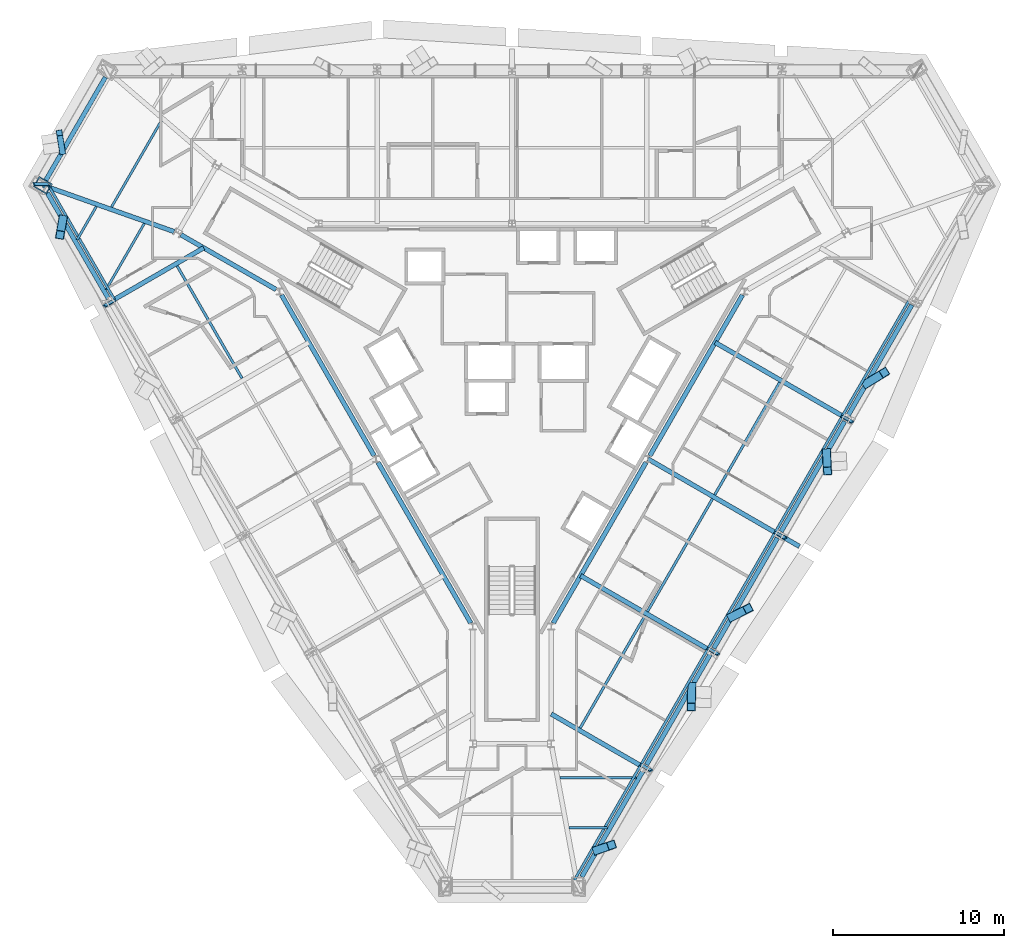
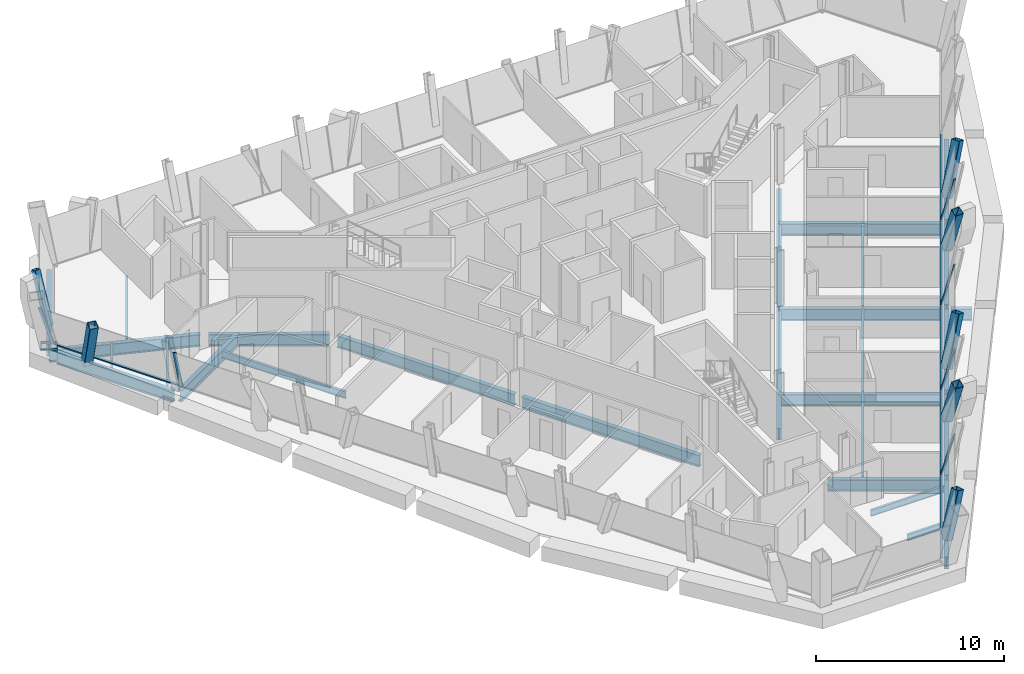
# One storey, part 3 of 13: 28 beams, 20 members, 2 elements without a shape of their own.
"""IFC4 building model written with IfcOpenShell, lengths in metres."""

from ifc_helpers import new_model, si_unit, direction, frame, origin, origin_2d, place, context, subcontext, project, spatial, rectangle, hollow_rectangle, i_section, extrude, material, material_profile, profile_set, type_object, element, aggregate, save


model = new_model("IFC4")

# Units and contexts
model_context = context("Model", 3, precision=1e-05, world=origin(), true_north=direction((0.0, 1.0)))
body_context = subcontext(model_context, "Body", "Model", "MODEL_VIEW")
ifc_project = project(units=[si_unit("LENGTHUNIT", "METRE"), si_unit("AREAUNIT", "SQUARE_METRE"), si_unit("VOLUMEUNIT", "CUBIC_METRE"), si_unit("PLANEANGLEUNIT", "RADIAN"), si_unit("MASSUNIT", "GRAM", prefix="KILO")], contexts=[model_context])

# Site, building, storey
site_placement = place(None, origin())
site = spatial("IfcSite", under=ifc_project, at=site_placement, CompositionType="ELEMENT")
building_placement = place(site_placement, origin())
building = spatial("IfcBuilding", under=site, at=building_placement, Name="Verrane Prism Tower", CompositionType="ELEMENT")
storey_placement = place(building_placement, frame((0.0, 0.0, 100.0)))
storey = spatial("IfcBuildingStorey", under=building, at=storey_placement, Name="L23", CompositionType="ELEMENT", Elevation=100.0)

# Member
ifc_material_1 = material(Name="Steel A500 Grade C", Category="steel")
ifc_material_profile_1 = material_profile(ifc_material_1, hollow_rectangle(XDim=0.355712890625, YDim=0.355712890625, WallThickness=0.0126953125, InnerFilletRadius=0.00634765625, OuterFilletRadius=0.01904296875, at=origin_2d()), Name="HSS14x14x1/2")
ifc_profile_set_1 = profile_set([ifc_material_profile_1], Name="Steel A500 Grade C")
member_type_1 = type_object("IfcMemberType", Name="Chamfer brace HSS14x14x1/2", PredefinedType="BRACE", material=ifc_profile_set_1)
member_1_placement = place(storey_placement, frame((-26.35986328125, 13.42138671875, -0.2451171875), z_axis=(-0.054955055745, 0.34337382265, 0.937589654255), x_axis=(-0.987433792109, -0.158033243976, 0.0)))
element("IfcMember", 1, at=member_1_placement, inside=storey, type_object=member_type_1, Name="Chamfer brace NW0 L23", PredefinedType="BRACE", context=body_context, shape_type="SweptSolid", body=[
    extrude(hollow_rectangle(XDim=0.355712890625, YDim=0.355712890625, WallThickness=0.0126953125, InnerFilletRadius=0.00634765625, OuterFilletRadius=0.01904296875, at=origin_2d()), origin(), (0.0, 0.0, 1.0), 3.203125),
])

# Beams
ifc_material_2 = material(Name="Steel A992", Category="steel")
ifc_material_profile_2 = material_profile(ifc_material_2, i_section(OverallWidth=0.2666015625, OverallDepth=0.76708984375, WebThickness=0.014892578125, FlangeThickness=0.023681640625, FilletRadius=0.0166015625, at=origin_2d()), Name="W30x124")
ifc_profile_set_2 = profile_set([ifc_material_profile_2], Name="Steel A992")
beam_type_1 = type_object("IfcBeamType", Name="Chamfer spandrel beam W30x124", PredefinedType="SPANDREL", material=ifc_profile_set_2)
beam_1_placement = place(storey_placement, frame((-23.835205078125, 17.787109375, -0.54345703125), z_axis=(-0.500609590055, -0.865673170628, 0.0), x_axis=(0.865673170628, -0.500609590055, 0.0)))
element("IfcBeam", 2, at=beam_1_placement, inside=storey, type_object=beam_type_1, Name="Chamfer spandrel beam L23", PredefinedType="SPANDREL", context=body_context, shape_type="SweptSolid", body=[
    extrude(i_section(OverallWidth=0.2666015625, OverallDepth=0.76708984375, WebThickness=0.014892578125, FlangeThickness=0.023681640625, FilletRadius=0.0166015625, at=origin_2d()), origin(), (0.0, 0.0, 1.0), 6.970458984375),
])
ifc_material_3 = material(Name="Steel A992", Category="steel")
ifc_material_profile_3 = material_profile(ifc_material_3, i_section(OverallWidth=0.2666015625, OverallDepth=0.7568359375, WebThickness=0.013916015625, FlangeThickness=0.019287109375, FilletRadius=0.0166015625, at=origin_2d()), Name="W30x108")
ifc_profile_set_3 = profile_set([ifc_material_profile_3], Name="Steel A992")
beam_type_2 = type_object("IfcBeamType", Name="Core ring girder W30x108", PredefinedType="BEAM", material=ifc_profile_set_3)
beam_2_placement = place(storey_placement, frame((-19.411865234375, 8.551513671875, -0.62841796875), z_axis=(0.866455532004, -0.499254254924, 0.0), x_axis=(0.499254254924, 0.866455532004, 0.0)))
element("IfcBeam", 3, at=beam_2_placement, inside=storey, type_object=beam_type_2, Name="Core ring girder L23", PredefinedType="BEAM", context=body_context, shape_type="SweptSolid", body=[
    extrude(i_section(OverallWidth=0.2666015625, OverallDepth=0.7568359375, WebThickness=0.013916015625, FlangeThickness=0.019287109375, FilletRadius=0.0166015625, at=origin_2d()), origin(), (0.0, 0.0, 1.0), 6.441162109375),
])
beam_3_placement = place(storey_placement, frame((-13.51513671875, 5.0205078125, -0.62841796875), z_axis=(0.4993706109, -0.866388476937, 0.0), x_axis=(0.866388476937, 0.4993706109, 0.0)))
element("IfcBeam", 4, at=beam_3_placement, inside=storey, type_object=beam_type_2, Name="Core ring girder L23", PredefinedType="BEAM", context=body_context, shape_type="SweptSolid", body=[
    extrude(i_section(OverallWidth=0.2666015625, OverallDepth=0.7568359375, WebThickness=0.013916015625, FlangeThickness=0.019287109375, FilletRadius=0.0166015625, at=origin_2d()), origin(), (0.0, 0.0, 1.0), 10.8740234375),
])
for number, where, z_axis, x_axis, name in (
    (5, (-7.85498046875, -4.79931640625, -0.62841796875), (0.500034555306, -0.86600545235, 0.0), (0.86600545235, 0.500034555306, 0.0), "Core ring girder L23"),
    (6, (2.4150390625, -14.220703125, -0.62841796875), (0.500034555306, 0.86600545235, 0.0), (-0.86600545235, 0.500034555306, 0.0), "Core ring girder L23"),
):
    element("IfcBeam", number, at=place(storey_placement, frame(where, z_axis=z_axis, x_axis=x_axis)), inside=storey, type_object=beam_type_2, Name=name, PredefinedType="BEAM", context=body_context, shape_type="SweptSolid", body=[
        extrude(i_section(OverallWidth=0.2666015625, OverallDepth=0.7568359375, WebThickness=0.013916015625, FlangeThickness=0.019287109375, FilletRadius=0.0166015625, at=origin_2d()), origin(), (0.0, 0.0, 1.0), 10.879150390625),
    ])
beam_4_placement = place(storey_placement, frame((8.0849609375, -4.400634765625, -0.62841796875), z_axis=(0.4993706109, 0.866388476937, 0.0), x_axis=(-0.866388476937, 0.4993706109, 0.0)))
element("IfcBeam", 7, at=beam_4_placement, inside=storey, type_object=beam_type_2, Name="Core ring girder L23", PredefinedType="BEAM", context=body_context, shape_type="SweptSolid", body=[
    extrude(i_section(OverallWidth=0.2666015625, OverallDepth=0.7568359375, WebThickness=0.013916015625, FlangeThickness=0.019287109375, FilletRadius=0.0166015625, at=origin_2d()), origin(), (0.0, 0.0, 1.0), 10.8740234375),
])
ifc_material_4 = material(Name="Steel A992", Category="steel")
ifc_material_profile_4 = material_profile(ifc_material_4, i_section(OverallWidth=0.2666015625, OverallDepth=0.76708984375, WebThickness=0.014892578125, FlangeThickness=0.023681640625, FilletRadius=0.0166015625, at=origin_2d()), Name="W30x124")
ifc_profile_set_4 = profile_set([ifc_material_profile_4], Name="Steel A992")
beam_type_3 = type_object("IfcBeamType", Name="Corner girder W30x124", PredefinedType="BEAM", material=ifc_profile_set_4)
beam_5_placement = place(storey_placement, frame((-27.4970703125, 11.448974609375, -0.603515625), z_axis=(0.942926196669, -0.333001783233, 0.0), x_axis=(0.333001783233, 0.942926196669, 0.0)))
element("IfcBeam", 8, at=beam_5_placement, inside=storey, type_object=beam_type_3, Name="Corner girder L23", PredefinedType="BEAM", context=body_context, shape_type="SweptSolid", body=[
    extrude(i_section(OverallWidth=0.2666015625, OverallDepth=0.76708984375, WebThickness=0.014892578125, FlangeThickness=0.023681640625, FilletRadius=0.0166015625, at=origin_2d()), origin(), (0.0, 0.0, 1.0), 8.154052734375),
])

# Members
ifc_material_5 = material(Name="Steel A1085 Grade A", Category="steel")
ifc_material_profile_5 = material_profile(ifc_material_5, hollow_rectangle(XDim=0.508056640625, YDim=0.508056640625, WallThickness=0.025390625, InnerFilletRadius=0.0126953125, OuterFilletRadius=0.0380859375, at=origin_2d()), Name="HSS20x20x1")
ifc_profile_set_5 = profile_set([ifc_material_profile_5], Name="Steel A1085 Grade A")
member_type_2 = type_object("IfcMemberType", Name="Facade brace HSS20x20x1", PredefinedType="BRACE", material=ifc_profile_set_5)
member_2_placement = place(storey_placement, frame((-26.3369140625, 9.43896484375, -0.24267578125), z_axis=(-0.049625250197, -0.286024720616, 0.956936358249), x_axis=(0.985280396607, -0.170946015051, 0.0)))
element("IfcMember", 9, at=member_2_placement, inside=storey, type_object=member_type_2, Name="Facade brace SW0 L23", PredefinedType="BRACE", context=body_context, shape_type="SweptSolid", body=[
    extrude(hollow_rectangle(XDim=0.508056640625, YDim=0.508056640625, WallThickness=0.025390625, InnerFilletRadius=0.0126953125, OuterFilletRadius=0.0380859375, at=origin_2d()), origin(), (0.0, 0.0, 1.0), 3.143798828125),
])
member_3_placement = place(storey_placement, frame((4.994384765625, -27.526611328125, -0.24267578125), z_axis=(0.2876253544, 0.100039979912, 0.952503888667), x_axis=(-0.328510015815, 0.94450048677, 0.0)))
element("IfcMember", 10, at=member_3_placement, inside=storey, type_object=member_type_2, Name="Facade brace SE0 L23", PredefinedType="BRACE", context=body_context, shape_type="SweptSolid", body=[
    extrude(hollow_rectangle(XDim=0.508056640625, YDim=0.508056640625, WallThickness=0.025390625, InnerFilletRadius=0.0126953125, OuterFilletRadius=0.0380859375, at=origin_2d()), origin(), (0.0, 0.0, 1.0), 2.930908203125),
])
member_4_placement = place(storey_placement, frame((10.54150390625, -17.9228515625, -0.24267578125), z_axis=(-0.010380610033, -0.375206397415, 0.926883165385), x_axis=(0.999617504739, -0.027655817092, 0.0)))
element("IfcMember", 11, at=member_4_placement, inside=storey, type_object=member_type_2, Name="Facade brace SE1 L23", PredefinedType="BRACE", context=body_context, shape_type="SweptSolid", body=[
    extrude(hollow_rectangle(XDim=0.508056640625, YDim=0.508056640625, WallThickness=0.025390625, InnerFilletRadius=0.0126953125, OuterFilletRadius=0.0380859375, at=origin_2d()), origin(), (0.0, 0.0, 1.0), 3.24560546875),
])
member_5_placement = place(storey_placement, frame((12.892333984375, -13.849853515625, -0.24267578125), z_axis=(0.296683457736, 0.151211377995, 0.942928441119), x_axis=(-0.454094457087, 0.890953547635, 0.0)))
element("IfcMember", 12, at=member_5_placement, inside=storey, type_object=member_type_2, Name="Facade brace SE2 L23", PredefinedType="BRACE", context=body_context, shape_type="SweptSolid", body=[
    extrude(hollow_rectangle(XDim=0.508056640625, YDim=0.508056640625, WallThickness=0.025390625, InnerFilletRadius=0.0126953125, OuterFilletRadius=0.0380859375, at=origin_2d()), origin(), (0.0, 0.0, 1.0), 3.1904296875),
])
member_6_placement = place(storey_placement, frame((18.4404296875, -4.2373046875, -0.24267578125), z_axis=(0.017674060204, -0.332976233805, 0.942769566393), x_axis=(0.998594277188, 0.053004429694, 0.0)))
element("IfcMember", 13, at=member_6_placement, inside=storey, type_object=member_type_2, Name="Facade brace SE3 L23", PredefinedType="BRACE", context=body_context, shape_type="SweptSolid", body=[
    extrude(hollow_rectangle(XDim=0.508056640625, YDim=0.508056640625, WallThickness=0.025390625, InnerFilletRadius=0.0126953125, OuterFilletRadius=0.0380859375, at=origin_2d()), origin(), (0.0, 0.0, 1.0), 3.19091796875),
])
member_7_placement = place(storey_placement, frame((20.788330078125, -0.167236328125, -0.24267578125), z_axis=(0.321078922138, 0.196031088996, 0.926542032455), x_axis=(-0.521094217834, 0.853499160011, 0.0)))
element("IfcMember", 14, at=member_7_placement, inside=storey, type_object=member_type_2, Name="Facade brace SE4 L23", PredefinedType="BRACE", context=body_context, shape_type="SweptSolid", body=[
    extrude(hollow_rectangle(XDim=0.508056640625, YDim=0.508056640625, WallThickness=0.025390625, InnerFilletRadius=0.0126953125, OuterFilletRadius=0.0380859375, at=origin_2d()), origin(), (0.0, 0.0, 1.0), 3.246826171875),
])

# Beams
ifc_material_6 = material(Name="Steel A992", Category="steel")
ifc_material_profile_6 = material_profile(ifc_material_6, i_section(OverallWidth=0.140380859375, OverallDepth=0.40380859375, WebThickness=0.007080078125, FlangeThickness=0.01123046875, FilletRadius=0.01025390625, at=origin_2d()), Name="W16x31")
ifc_profile_set_6 = profile_set([ifc_material_profile_6], Name="Steel A992")
beam_type_4 = type_object("IfcBeamType", Name="Floor beam W16x31", PredefinedType="BEAM", material=ifc_profile_set_6)
beam_6_placement = place(storey_placement, frame((-23.80126953125, 5.321044921875, -0.36181640625), z_axis=(0.500004878216, 0.866022587327, 0.0), x_axis=(-0.866022587327, 0.500004878216, 0.0)))
element("IfcBeam", 15, at=beam_6_placement, inside=storey, type_object=beam_type_4, Name="Floor beam L23", PredefinedType="BEAM", context=body_context, shape_type="SweptSolid", body=[
    extrude(i_section(OverallWidth=0.140380859375, OverallDepth=0.40380859375, WebThickness=0.007080078125, FlangeThickness=0.01123046875, FilletRadius=0.01025390625, at=origin_2d()), origin(), (0.0, 0.0, 1.0), 4.48974609375),
])
beam_7_placement = place(storey_placement, frame((-25.49658203125, 8.25244140625, -0.36181640625), z_axis=(0.499997670926, 0.866026748472, 0.0), x_axis=(-0.866026748472, 0.499997670926, 0.0)))
element("IfcBeam", 16, at=beam_7_placement, inside=storey, type_object=beam_type_4, Name="Floor beam L23", PredefinedType="BEAM", context=body_context, shape_type="SweptSolid", body=[
    extrude(i_section(OverallWidth=0.140380859375, OverallDepth=0.40380859375, WebThickness=0.007080078125, FlangeThickness=0.01123046875, FilletRadius=0.01025390625, at=origin_2d()), origin(), (0.0, 0.0, 1.0), 2.25244140625),
])
beam_8_placement = place(storey_placement, frame((3.347412109375, -26.2099609375, -0.36181640625), z_axis=(1.0, 0.0, 0.0), x_axis=(0.0, 1.0, 0.0)))
element("IfcBeam", 17, at=beam_8_placement, inside=storey, type_object=beam_type_4, Name="Floor beam L23", PredefinedType="BEAM", context=body_context, shape_type="SweptSolid", body=[
    extrude(i_section(OverallWidth=0.140380859375, OverallDepth=0.40380859375, WebThickness=0.007080078125, FlangeThickness=0.01123046875, FilletRadius=0.01025390625, at=origin_2d()), origin(), (0.0, 0.0, 1.0), 2.254150390625),
])
beam_9_placement = place(storey_placement, frame((2.803466796875, -23.280029296875, -0.36181640625), z_axis=(1.0, 0.0, 0.0), x_axis=(0.0, 1.0, 0.0)))
element("IfcBeam", 18, at=beam_9_placement, inside=storey, type_object=beam_type_4, Name="Floor beam L23", PredefinedType="BEAM", context=body_context, shape_type="SweptSolid", body=[
    extrude(i_section(OverallWidth=0.140380859375, OverallDepth=0.40380859375, WebThickness=0.007080078125, FlangeThickness=0.01123046875, FilletRadius=0.01025390625, at=origin_2d()), origin(), (0.0, 0.0, 1.0), 4.49267578125),
])
beam_10_placement = place(storey_placement, frame((-23.481201171875, 10.17236328125, -0.36181640625), z_axis=(0.500000035988, 0.866025383007, 0.0), x_axis=(-0.866025383007, 0.500000035988, 0.0)))
element("IfcBeam", 19, at=beam_10_placement, inside=storey, type_object=beam_type_4, Name="Floor beam L23", PredefinedType="BEAM", context=body_context, shape_type="SweptSolid", body=[
    extrude(i_section(OverallWidth=0.140380859375, OverallDepth=0.40380859375, WebThickness=0.007080078125, FlangeThickness=0.01123046875, FilletRadius=0.01025390625, at=origin_2d()), origin(), (0.0, 0.0, 1.0), 5.8623046875),
])
ifc_material_7 = material(Name="Steel A992", Category="steel")
ifc_material_profile_7 = material_profile(ifc_material_7, i_section(OverallWidth=0.15234375, OverallDepth=0.449462890625, WebThickness=0.007568359375, FlangeThickness=0.0107421875, FilletRadius=0.01025390625, at=origin_2d()), Name="W18x35")
ifc_profile_set_7 = profile_set([ifc_material_profile_7], Name="Steel A992")
beam_type_5 = type_object("IfcBeamType", Name="Floor beam W18x35", PredefinedType="BEAM", material=ifc_profile_set_7)
beam_11_placement = place(storey_placement, frame((-15.82666015625, 0.130615234375, -0.384765625), z_axis=(-0.49997412077, 0.866040344649, 0.0), x_axis=(-0.866040344649, -0.49997412077, 0.0)))
element("IfcBeam", 20, at=beam_11_placement, inside=storey, type_object=beam_type_5, Name="Floor beam L23", PredefinedType="BEAM", context=body_context, shape_type="SweptSolid", body=[
    extrude(i_section(OverallWidth=0.15234375, OverallDepth=0.449462890625, WebThickness=0.007568359375, FlangeThickness=0.0107421875, FilletRadius=0.01025390625, at=origin_2d()), origin(), (0.0, 0.0, 1.0), 7.61376953125),
])
beam_12_placement = place(storey_placement, frame((3.99560546875, -20.37353515625, -0.384765625), z_axis=(0.499996178778, 0.866027609957, 0.0), x_axis=(-0.866027609957, 0.499996178778, 0.0)))
element("IfcBeam", 21, at=beam_12_placement, inside=storey, type_object=beam_type_5, Name="Floor beam L23", PredefinedType="BEAM", context=body_context, shape_type="SweptSolid", body=[
    extrude(i_section(OverallWidth=0.15234375, OverallDepth=0.449462890625, WebThickness=0.007568359375, FlangeThickness=0.0107421875, FilletRadius=0.01025390625, at=origin_2d()), origin(), (0.0, 0.0, 1.0), 7.61767578125),
])
beam_13_placement = place(storey_placement, frame((7.93701171875, -13.544677734375, -0.384765625), z_axis=(0.499999364504, 0.866025770688, 0.0), x_axis=(-0.866025770688, 0.499999364504, 0.0)))
element("IfcBeam", 22, at=beam_13_placement, inside=storey, type_object=beam_type_5, Name="Floor beam L23", PredefinedType="BEAM", context=body_context, shape_type="SweptSolid", body=[
    extrude(i_section(OverallWidth=0.15234375, OverallDepth=0.449462890625, WebThickness=0.007568359375, FlangeThickness=0.0107421875, FilletRadius=0.01025390625, at=origin_2d()), origin(), (0.0, 0.0, 1.0), 7.6318359375),
])
beam_14_placement = place(storey_placement, frame((11.88330078125, -6.702392578125, -0.384765625), z_axis=(0.500014495457, 0.866017034666, 0.0), x_axis=(-0.866017034666, 0.500014495457, 0.0)))
element("IfcBeam", 23, at=beam_14_placement, inside=storey, type_object=beam_type_5, Name="Floor beam L23", PredefinedType="BEAM", context=body_context, shape_type="SweptSolid", body=[
    extrude(i_section(OverallWidth=0.15234375, OverallDepth=0.449462890625, WebThickness=0.007568359375, FlangeThickness=0.0107421875, FilletRadius=0.01025390625, at=origin_2d()), origin(), (0.0, 0.0, 1.0), 7.622314453125),
])

# Member
ifc_material_8 = material(Name="Steel A572 Grade 50", Category="steel")
ifc_material_profile_8 = material_profile(ifc_material_8, hollow_rectangle(XDim=0.699951171875, YDim=0.89990234375, WallThickness=0.06494140625, at=origin_2d()), Name="BOX 900x700x65")
ifc_profile_set_8 = profile_set([ifc_material_profile_8], Name="Steel A572 Grade 50")
member_type_3 = type_object("IfcMemberType", Name="Kink node BOX 900x700x65", PredefinedType="COLLAR", material=ifc_profile_set_8)
member_8_placement = place(storey_placement, frame((-27.50830078125, 11.449951171875, -0.074951171875), z_axis=(0.0, 0.0, 1.0), x_axis=(0.5, 0.866025403784, 0.0)))
element("IfcMember", 24, at=member_8_placement, inside=storey, type_object=member_type_3, Name="Kink node MC3 L23", PredefinedType="COLLAR", context=body_context, shape_type="SweptSolid", body=[
    extrude(hollow_rectangle(XDim=0.699951171875, YDim=0.89990234375, WallThickness=0.06494140625, at=origin_2d()), origin(), (0.0, 0.0, 1.0), 0.14990234375),
])

# Curtain wall, members
ifc_material_9 = material(Name="Aluminium framed insulated glazing", Category="aluminium")
curtain_wall_type = type_object("IfcCurtainWallType", Name="Curtain wall CW-A 8400 module", PredefinedType="NOTDEFINED", material=ifc_material_9)
curtain_wall_1_placement = place(storey_placement, origin())
curtain_wall_1 = element("IfcCurtainWall", 25, at=curtain_wall_1_placement, inside=storey, type_object=curtain_wall_type, Name="Glazed curtain wall south-west face L23", PredefinedType="NOTDEFINED")
ifc_material_10 = material(Name="Aluminium alloy 6063-T6", Category="aluminium")
ifc_material_profile_9 = material_profile(ifc_material_10, rectangle(XDim=0.199951171875, YDim=0.070068359375, at=origin_2d()), Name="Mullion 70x200 aluminium")
ifc_profile_set_9 = profile_set([ifc_material_profile_9], Name="Aluminium alloy 6063-T6")
member_type_4 = type_object("IfcMemberType", Name="Mullion 70x200 aluminium", PredefinedType="MULLION", material=ifc_profile_set_9)
member_9_placement = place(storey_placement, frame((-27.2021484375, 11.493408203125, 0.0), z_axis=(-0.301389824722, 0.011136189208, 0.95343597522), x_axis=(0.444415187017, -0.883037493848, 0.15079763263)))
member_9 = element("IfcMember", 26, at=member_9_placement, type_object=member_type_4, Name="CW21.4 mullion 1", PredefinedType="MULLION", context=body_context, shape_type="SweptSolid", body=[
    extrude(rectangle(XDim=0.199951171875, YDim=0.070068359375, at=origin_2d()), origin(), (0.0, 0.0, 1.0), 2.740478515625),
])
member_10_placement = place(storey_placement, frame((-23.2880859375, 4.714111328125, 0.0), z_axis=(-0.224108381383, -0.129428682603, 0.965931493178), x_axis=(0.85134056199, -0.508404548694, 0.12939884999)))
member_10 = element("IfcMember", 27, at=member_10_placement, type_object=member_type_4, Name="CW21.4 mullion 2", PredefinedType="MULLION", context=body_context, shape_type="SweptSolid", body=[
    extrude(rectangle(XDim=0.199951171875, YDim=0.070068359375, at=origin_2d()), origin(), (0.0, 0.0, 1.0), 2.704833984375),
])

curtain_wall_2_placement = place(storey_placement, origin())
curtain_wall_2 = element("IfcCurtainWall", 28, at=curtain_wall_2_placement, inside=storey, type_object=curtain_wall_type, Name="Glazed curtain wall south-east face L23", PredefinedType="NOTDEFINED")
member_11_placement = place(storey_placement, frame((7.5615234375, -22.525146484375, 0.0), z_axis=(0.224110998518, -0.129339935915, 0.965942773316), x_axis=(-0.851191839207, -0.508658862531, 0.129377797304)))
member_11 = element("IfcMember", 29, at=member_11_placement, type_object=member_type_4, Name="CW21.6 mullion 2", PredefinedType="MULLION", context=body_context, shape_type="SweptSolid", body=[
    extrude(rectangle(XDim=0.199951171875, YDim=0.070068359375, at=origin_2d()), origin(), (0.0, 0.0, 1.0), 2.704833984375),
])
member_12_placement = place(storey_placement, frame((11.4931640625, -15.71533203125, 0.0), z_axis=(0.224110998518, -0.129339935915, 0.965942773316), x_axis=(-0.851191839207, -0.508658862531, 0.129377797304)))
member_12 = element("IfcMember", 30, at=member_12_placement, type_object=member_type_4, Name="CW21.6 mullion 3", PredefinedType="MULLION", context=body_context, shape_type="SweptSolid", body=[
    extrude(rectangle(XDim=0.199951171875, YDim=0.070068359375, at=origin_2d()), origin(), (0.0, 0.0, 1.0), 2.704833984375),
])
member_13_placement = place(storey_placement, frame((15.4248046875, -8.905517578125, 0.0), z_axis=(0.224110998518, -0.129339935915, 0.965942773316), x_axis=(-0.851191839207, -0.508658862531, 0.129377797304)))
member_13 = element("IfcMember", 31, at=member_13_placement, type_object=member_type_4, Name="CW21.6 mullion 4", PredefinedType="MULLION", context=body_context, shape_type="SweptSolid", body=[
    extrude(rectangle(XDim=0.199951171875, YDim=0.070068359375, at=origin_2d()), origin(), (0.0, 0.0, 1.0), 2.704833984375),
])
member_14_placement = place(storey_placement, frame((19.3564453125, -2.095703125, 0.0), z_axis=(0.224108381383, -0.129428682603, 0.965931493178), x_axis=(-0.85134056199, -0.508404548694, 0.12939884999)))
member_14 = element("IfcMember", 32, at=member_14_placement, type_object=member_type_4, Name="CW21.6 mullion 5", PredefinedType="MULLION", context=body_context, shape_type="SweptSolid", body=[
    extrude(rectangle(XDim=0.199951171875, YDim=0.070068359375, at=origin_2d()), origin(), (0.0, 0.0, 1.0), 2.704833984375),
])

# Beams
ifc_material_11 = material(Name="Steel A992", Category="steel")
ifc_material_profile_10 = material_profile(ifc_material_11, i_section(OverallWidth=0.2666015625, OverallDepth=0.76708984375, WebThickness=0.014892578125, FlangeThickness=0.023681640625, FilletRadius=0.0166015625, at=origin_2d()), Name="W30x124")
ifc_profile_set_10 = profile_set([ifc_material_profile_10], Name="Steel A992")
beam_type_6 = type_object("IfcBeamType", Name="Radial girder W30x124", PredefinedType="BEAM", material=ifc_profile_set_10)
beam_15_placement = place(storey_placement, frame((-23.34423828125, 4.73876953125, -0.603515625), z_axis=(0.866034580849, 0.49998410452, 0.0), x_axis=(-0.49998410452, 0.866034580849, 0.0)))
element("IfcBeam", 33, at=beam_15_placement, inside=storey, type_object=beam_type_6, Name="Radial girder L23", PredefinedType="BEAM", context=body_context, shape_type="SweptSolid", body=[
    extrude(i_section(OverallWidth=0.2666015625, OverallDepth=0.76708984375, WebThickness=0.014892578125, FlangeThickness=0.023681640625, FilletRadius=0.0166015625, at=origin_2d()), origin(), (0.0, 0.0, 1.0), 6.084716796875),
])
beam_16_placement = place(storey_placement, frame((7.57421875, -22.59130859375, -0.603515625), z_axis=(-0.866016687335, 0.50001509703, 0.0), x_axis=(-0.50001509703, -0.866016687335, 0.0)))
element("IfcBeam", 34, at=beam_16_placement, inside=storey, type_object=beam_type_6, Name="Radial girder L23", PredefinedType="BEAM", context=body_context, shape_type="SweptSolid", body=[
    extrude(i_section(OverallWidth=0.2666015625, OverallDepth=0.76708984375, WebThickness=0.014892578125, FlangeThickness=0.023681640625, FilletRadius=0.0166015625, at=origin_2d()), origin(), (0.0, 0.0, 1.0), 6.090087890625),
])
beam_17_placement = place(storey_placement, frame((11.514404296875, -15.76123046875, -0.603515625), z_axis=(-0.866025318361, 0.500000147958, 0.0), x_axis=(-0.500000147958, -0.866025318361, 0.0)))
element("IfcBeam", 35, at=beam_17_placement, inside=storey, type_object=beam_type_6, Name="Radial girder L23", PredefinedType="BEAM", context=body_context, shape_type="SweptSolid", body=[
    extrude(i_section(OverallWidth=0.2666015625, OverallDepth=0.76708984375, WebThickness=0.014892578125, FlangeThickness=0.023681640625, FilletRadius=0.0166015625, at=origin_2d()), origin(), (0.0, 0.0, 1.0), 8.650390625),
])
beam_18_placement = place(storey_placement, frame((15.46435546875, -8.92138671875, -0.603515625), z_axis=(-0.866014988611, 0.500018039176, 0.0), x_axis=(-0.500018039176, -0.866014988611, 0.0)))
element("IfcBeam", 36, at=beam_18_placement, inside=storey, type_object=beam_type_6, Name="Radial girder L23", PredefinedType="BEAM", context=body_context, shape_type="SweptSolid", body=[
    extrude(i_section(OverallWidth=0.2666015625, OverallDepth=0.76708984375, WebThickness=0.014892578125, FlangeThickness=0.023681640625, FilletRadius=0.0166015625, at=origin_2d()), origin(), (0.0, 0.0, 1.0), 8.651123046875),
])
beam_19_placement = place(storey_placement, frame((19.404296875, -2.09130859375, -0.603515625), z_axis=(-0.866024441312, 0.500001667048, 0.0), x_axis=(-0.500001667048, -0.866024441312, 0.0)))
element("IfcBeam", 37, at=beam_19_placement, inside=storey, type_object=beam_type_6, Name="Radial girder L23", PredefinedType="BEAM", context=body_context, shape_type="SweptSolid", body=[
    extrude(i_section(OverallWidth=0.2666015625, OverallDepth=0.76708984375, WebThickness=0.014892578125, FlangeThickness=0.023681640625, FilletRadius=0.0166015625, at=origin_2d()), origin(), (0.0, 0.0, 1.0), 8.65380859375),
])
beam_20_placement = place(storey_placement, frame((15.872314453125, -9.15673828125, -0.603515625), z_axis=(0.866023381821, -0.500003502126, 0.0), x_axis=(0.500003502126, 0.866023381821, 0.0)))
element("IfcBeam", 38, at=beam_20_placement, inside=storey, type_object=beam_type_6, Name="Cantilever girder L23", PredefinedType="BEAM", context=body_context, shape_type="SweptSolid", body=[
    extrude(i_section(OverallWidth=0.2666015625, OverallDepth=0.76708984375, WebThickness=0.014892578125, FlangeThickness=0.023681640625, FilletRadius=0.0166015625, at=origin_2d()), origin(), (0.0, 0.0, 1.0), 1.1279296875),
])
ifc_material_12 = material(Name="Steel A992", Category="steel")
ifc_material_profile_11 = material_profile(ifc_material_12, i_section(OverallWidth=0.2666015625, OverallDepth=0.7568359375, WebThickness=0.013916015625, FlangeThickness=0.019287109375, FilletRadius=0.0166015625, at=origin_2d()), Name="W30x108")
ifc_profile_set_11 = profile_set([ifc_material_profile_11], Name="Steel A992")
beam_type_7 = type_object("IfcBeamType", Name="Spandrel beam W30x108", PredefinedType="SPANDREL", material=ifc_profile_set_11)
beam_21_placement = place(storey_placement, frame((-27.239990234375, 11.00048828125, -0.53857421875), z_axis=(0.50063155155, -0.865660470157, 0.0), x_axis=(0.865660470157, 0.50063155155, 0.0)))
element("IfcBeam", 39, at=beam_21_placement, inside=storey, type_object=beam_type_7, Name="Spandrel beam L23", PredefinedType="SPANDREL", context=body_context, shape_type="SweptSolid", body=[
    extrude(i_section(OverallWidth=0.2666015625, OverallDepth=0.7568359375, WebThickness=0.013916015625, FlangeThickness=0.019287109375, FilletRadius=0.0166015625, at=origin_2d()), origin(), (0.0, 0.0, 1.0), 7.158447265625),
])
beam_22_placement = place(storey_placement, frame((4.090087890625, -29.090087890625, -0.53857421875), z_axis=(0.50064633236, 0.865651921903, 0.0), x_axis=(-0.865651921903, 0.50064633236, 0.0)))
element("IfcBeam", 40, at=beam_22_placement, inside=storey, type_object=beam_type_7, Name="Spandrel beam L23", PredefinedType="SPANDREL", context=body_context, shape_type="SweptSolid", body=[
    extrude(i_section(OverallWidth=0.2666015625, OverallDepth=0.7568359375, WebThickness=0.013916015625, FlangeThickness=0.019287109375, FilletRadius=0.0166015625, at=origin_2d()), origin(), (0.0, 0.0, 1.0), 7.158203125),
])
beam_23_placement = place(storey_placement, frame((7.885986328125, -22.5263671875, -0.53857421875), z_axis=(0.499679960224, 0.866210100005, 0.0), x_axis=(-0.866210100005, 0.499679960224, 0.0)))
element("IfcBeam", 41, at=beam_23_placement, inside=storey, type_object=beam_type_7, Name="Spandrel beam L23", PredefinedType="SPANDREL", context=body_context, shape_type="SweptSolid", body=[
    extrude(i_section(OverallWidth=0.2666015625, OverallDepth=0.7568359375, WebThickness=0.013916015625, FlangeThickness=0.019287109375, FilletRadius=0.0166015625, at=origin_2d()), origin(), (0.0, 0.0, 1.0), 7.4609375),
])
beam_24_placement = place(storey_placement, frame((11.826171875, -15.6962890625, -0.53857421875), z_axis=(0.500080587159, 0.865978871767, 0.0), x_axis=(-0.865978871767, 0.500080587159, 0.0)))
element("IfcBeam", 42, at=beam_24_placement, inside=storey, type_object=beam_type_7, Name="Spandrel beam L23", PredefinedType="SPANDREL", context=body_context, shape_type="SweptSolid", body=[
    extrude(i_section(OverallWidth=0.2666015625, OverallDepth=0.7568359375, WebThickness=0.013916015625, FlangeThickness=0.019287109375, FilletRadius=0.0166015625, at=origin_2d()), origin(), (0.0, 0.0, 1.0), 7.474365234375),
])
beam_25_placement = place(storey_placement, frame((15.77587890625, -8.856201171875, -0.53857421875), z_axis=(0.499694123976, 0.866201929381, 0.0), x_axis=(-0.866201929381, 0.499694123976, 0.0)))
element("IfcBeam", 43, at=beam_25_placement, inside=storey, type_object=beam_type_7, Name="Spandrel beam L23", PredefinedType="SPANDREL", context=body_context, shape_type="SweptSolid", body=[
    extrude(i_section(OverallWidth=0.2666015625, OverallDepth=0.7568359375, WebThickness=0.013916015625, FlangeThickness=0.019287109375, FilletRadius=0.0166015625, at=origin_2d()), origin(), (0.0, 0.0, 1.0), 7.460693359375),
])
beam_26_placement = place(storey_placement, frame((19.716064453125, -2.0263671875, -0.53857421875), z_axis=(0.499679960224, 0.866210100005, 0.0), x_axis=(-0.866210100005, 0.499679960224, 0.0)))
element("IfcBeam", 44, at=beam_26_placement, inside=storey, type_object=beam_type_7, Name="Spandrel beam L23", PredefinedType="SPANDREL", context=body_context, shape_type="SweptSolid", body=[
    extrude(i_section(OverallWidth=0.2666015625, OverallDepth=0.7568359375, WebThickness=0.013916015625, FlangeThickness=0.019287109375, FilletRadius=0.0166015625, at=origin_2d()), origin(), (0.0, 0.0, 1.0), 7.4609375),
])

# Member
ifc_material_13 = material(Name="Aluminium alloy 6063-T6", Category="aluminium")
ifc_material_profile_12 = material_profile(ifc_material_13, rectangle(XDim=0.14990234375, YDim=0.070068359375, at=origin_2d()), Name="Transom 70x150 aluminium")
ifc_profile_set_12 = profile_set([ifc_material_profile_12], Name="Aluminium alloy 6063-T6")
member_type_5 = type_object("IfcMemberType", Name="Transom 70x150 aluminium", PredefinedType="USERDEFINED", material=ifc_profile_set_12)
member_15_placement = place(storey_placement, frame((-27.1845703125, 11.463134765625, 0.034912109375), z_axis=(0.50000756646, -0.866021035243, 0.0), x_axis=(0.866021035243, 0.50000756646, 0.0)))
member_15 = element("IfcMember", 45, at=member_15_placement, type_object=member_type_5, Name="CW21.4 transom 1", ObjectType="TRANSOM", PredefinedType="USERDEFINED", context=body_context, shape_type="SweptSolid", body=[
    extrude(rectangle(XDim=0.14990234375, YDim=0.070068359375, at=origin_2d()), origin(), (0.0, 0.0, 1.0), 7.75830078125),
])

aggregate(curtain_wall_1, [member_9, member_10, member_15])

member_16_placement = place(storey_placement, frame((3.664794921875, -29.274169921875, 0.034912109375), z_axis=(0.50000756646, 0.866021035243, 0.0), x_axis=(-0.866021035243, 0.50000756646, 0.0)))
member_16 = element("IfcMember", 46, at=member_16_placement, type_object=member_type_5, Name="CW21.6 transom 1", ObjectType="TRANSOM", PredefinedType="USERDEFINED", context=body_context, shape_type="SweptSolid", body=[
    extrude(rectangle(XDim=0.14990234375, YDim=0.070068359375, at=origin_2d()), origin(), (0.0, 0.0, 1.0), 7.75830078125),
])

member_17_placement = place(storey_placement, frame((7.5791015625, -22.49462890625, 0.034912109375), z_axis=(0.499993636311, 0.866029077831, 0.0), x_axis=(-0.866029077831, 0.499993636311, 0.0)))
member_17 = element("IfcMember", 47, at=member_17_placement, type_object=member_type_5, Name="CW21.6 transom 2", ObjectType="TRANSOM", PredefinedType="USERDEFINED", context=body_context, shape_type="SweptSolid", body=[
    extrude(rectangle(XDim=0.14990234375, YDim=0.070068359375, at=origin_2d()), origin(), (0.0, 0.0, 1.0), 7.79296875),
])

member_18_placement = place(storey_placement, frame((11.5107421875, -15.68505859375, 0.034912109375), z_axis=(0.499980071345, 0.866036909293, 0.0), x_axis=(-0.866036909293, 0.499980071345, 0.0)))
member_18 = element("IfcMember", 48, at=member_18_placement, type_object=member_type_5, Name="CW21.6 transom 3", ObjectType="TRANSOM", PredefinedType="USERDEFINED", context=body_context, shape_type="SweptSolid", body=[
    extrude(rectangle(XDim=0.14990234375, YDim=0.070068359375, at=origin_2d()), origin(), (0.0, 0.0, 1.0), 7.793212890625),
])

member_19_placement = place(storey_placement, frame((15.442138671875, -8.875244140625, 0.034912109375), z_axis=(0.500003566721, 0.866023344527, 0.0), x_axis=(-0.866023344527, 0.500003566721, 0.0)))
member_19 = element("IfcMember", 49, at=member_19_placement, type_object=member_type_5, Name="CW21.6 transom 4", ObjectType="TRANSOM", PredefinedType="USERDEFINED", context=body_context, shape_type="SweptSolid", body=[
    extrude(rectangle(XDim=0.14990234375, YDim=0.070068359375, at=origin_2d()), origin(), (0.0, 0.0, 1.0), 7.79345703125),
])

member_20_placement = place(storey_placement, frame((19.373779296875, -2.0654296875, 0.034912109375), z_axis=(0.500003566721, 0.866023344527, 0.0), x_axis=(-0.866023344527, 0.500003566721, 0.0)))
member_20 = element("IfcMember", 50, at=member_20_placement, type_object=member_type_5, Name="CW21.6 transom 5", ObjectType="TRANSOM", PredefinedType="USERDEFINED", context=body_context, shape_type="SweptSolid", body=[
    extrude(rectangle(XDim=0.14990234375, YDim=0.070068359375, at=origin_2d()), origin(), (0.0, 0.0, 1.0), 7.79345703125),
])

aggregate(curtain_wall_2, [member_11, member_12, member_13, member_14, member_16, member_17, member_18, member_19, member_20])

save(model, "model.ifc")
